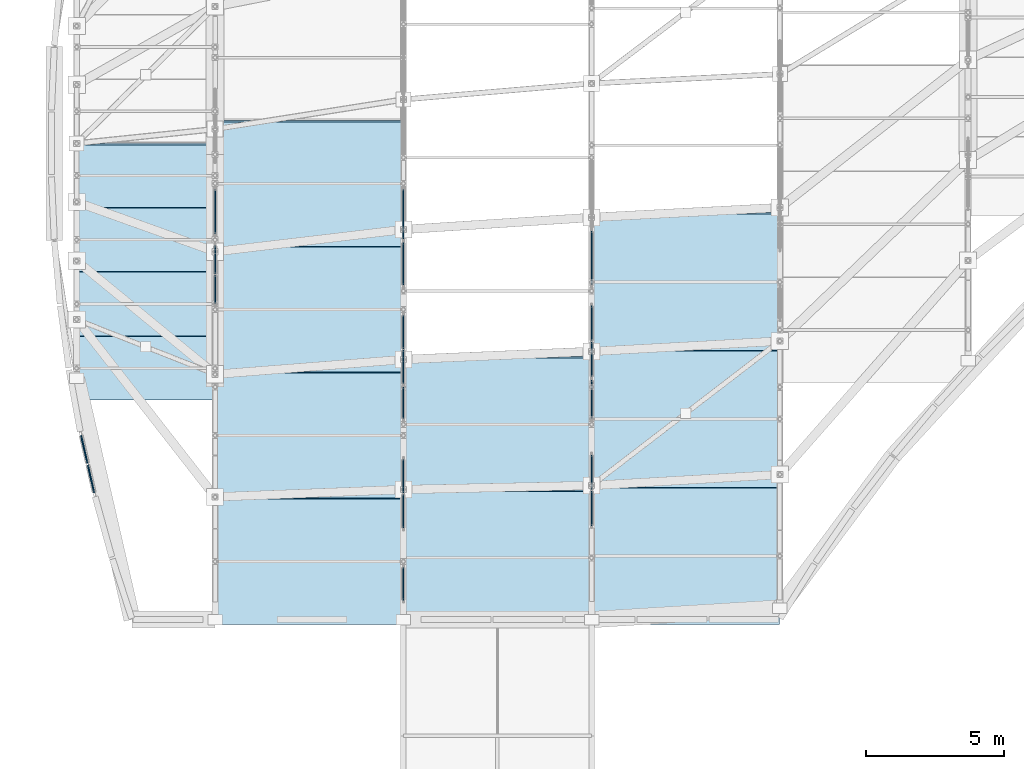
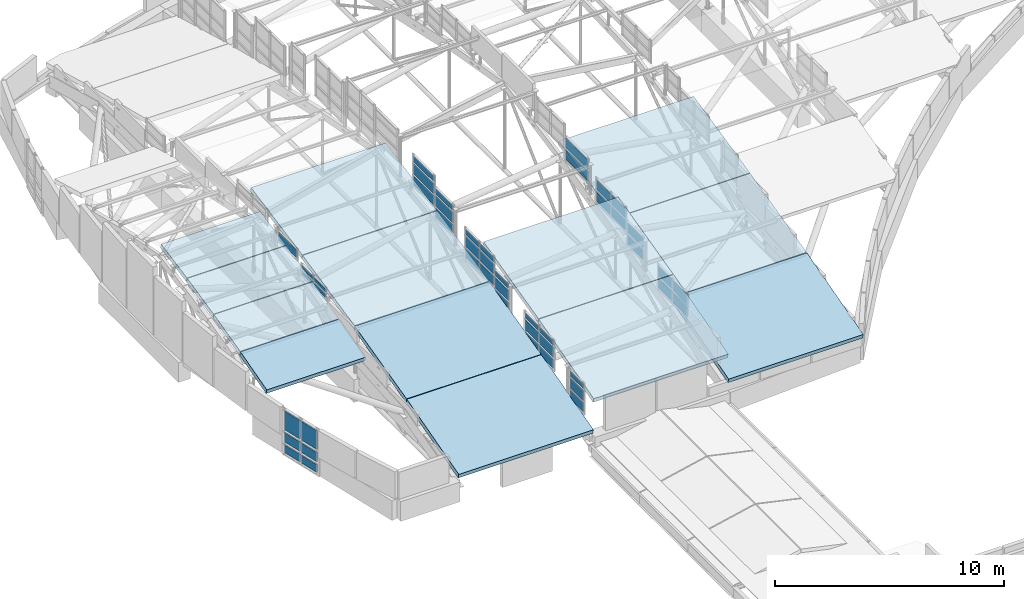
# One storey, part 160 of 188: 47 plates, 13 slabs, 13 elements without a shape of their own.
"""IFC4 building model written with IfcOpenShell, lengths in metres."""

import ifcopenshell
import ifcopenshell.guid

model = None  # the IFC model being written
_history = None  # IfcOwnerHistory: only IFC2X3 demands one
_inside = {}  # id of a spatial element -> (the spatial element, [elements in it])
_under = {}  # id of a project, library or spatial element -> (it, [spatial elements below it])
_declared = {}  # id of a project -> (the project, [libraries it declares])
_typed = {}  # id of a type object -> (the type object, [elements of that type])
_made_of = {}  # id of a material, layer set ... -> (it, [elements and type objects made of it])


def new_model(schema):
    """Start an empty IFC model of exactly this schema.

    Asked for "IFC4X3", IfcOpenShell would pick the latest addendum, in which some entities
    have other attributes; the version numbers below select the first issue.
    IFC2X3 requires an IfcOwnerHistory on every rooted entity: one is made here for all.
    """
    global model, _history
    if schema == "IFC4X3":
        model = ifcopenshell.file(schema_version=(4, 3, 0, 0))
    else:
        model = ifcopenshell.file(schema=schema)
    _inside.clear()
    _under.clear()
    _declared.clear()
    _typed.clear()
    _made_of.clear()
    _history = None
    if model.schema == "IFC2X3":
        org = make("IfcOrganization", Name="unknown")
        user = make(
            "IfcPersonAndOrganization",
            ThePerson=make("IfcPerson", FamilyName="unknown"),
            TheOrganization=org,
        )
        app = make(
            "IfcApplication",
            ApplicationDeveloper=org,
            Version="unknown",
            ApplicationFullName="unknown",
            ApplicationIdentifier="unknown",
        )
        _history = make(
            "IfcOwnerHistory",
            OwningUser=user,
            OwningApplication=app,
            ChangeAction="ADDED",
            CreationDate=0,
        )
    return model


def make(cls, **values):
    """One entity of the class cls with the attributes given. An attribute that is None is left unset."""
    return model.create_entity(
        cls, **{name: value for name, value in values.items() if value is not None}
    )


def rooted(cls, **values):
    """An entity with a GlobalId (a new one), such as an element, a storey or a relation."""
    return make(cls, GlobalId=ifcopenshell.guid.new(), OwnerHistory=_history, **values)


def si_unit(unit_type, name, prefix=None):
    """IfcSIUnit, for example si_unit("LENGTHUNIT", "METRE", prefix="MILLI")."""
    return make("IfcSIUnit", UnitType=unit_type, Prefix=prefix, Name=name)


def assignment(units):
    """IfcUnitAssignment: the units of a project."""
    return None if units is None else make("IfcUnitAssignment", Units=units)


def point(xyz):
    """IfcCartesianPoint."""
    return None if xyz is None else make("IfcCartesianPoint", Coordinates=xyz)


def direction(xyz):
    """IfcDirection."""
    return None if xyz is None else make("IfcDirection", DirectionRatios=xyz)


def frame(location, z_axis=None, x_axis=None):
    """IfcAxis2Placement3D, a coordinate frame: its origin and axes. An axis left out is left unset."""
    return make(
        "IfcAxis2Placement3D",
        Location=point(location),
        Axis=direction(z_axis),
        RefDirection=direction(x_axis),
    )


def frame_2d(location, x_axis=None):
    """IfcAxis2Placement2D, a coordinate frame in the plane: its origin and x axis."""
    return make(
        "IfcAxis2Placement2D", Location=point(location), RefDirection=direction(x_axis)
    )


def origin():
    """The frame at (0, 0, 0) with its axes left unset."""
    return frame((0.0, 0.0, 0.0))


def origin_2d():
    """The frame at (0, 0) in the plane with its x axis left unset."""
    return frame_2d((0.0, 0.0))


def place(relative_to, where):
    """IfcLocalPlacement: puts the frame where relative to a parent placement (None: the world)."""
    return make(
        "IfcLocalPlacement", PlacementRelTo=relative_to, RelativePlacement=where
    )


def context(
    kind, dimensions, precision=None, world=None, true_north=None, identifier=None
):
    """IfcGeometricRepresentationContext, for example the 3D "Model" context."""
    return make(
        "IfcGeometricRepresentationContext",
        ContextIdentifier=identifier,
        ContextType=kind,
        CoordinateSpaceDimension=dimensions,
        Precision=precision,
        WorldCoordinateSystem=world,
        TrueNorth=true_north,
    )


def subcontext(parent, identifier, kind, view, scale=None):
    """IfcGeometricRepresentationSubContext, for example "Body" below "Model"."""
    return make(
        "IfcGeometricRepresentationSubContext",
        ContextIdentifier=identifier,
        ContextType=kind,
        ParentContext=parent,
        TargetScale=scale,
        TargetView=view,
    )


def project(units=None, contexts=None):
    """IfcProject with its units and contexts."""
    return rooted(
        "IfcProject",
        Name="project",
        RepresentationContexts=contexts,
        UnitsInContext=assignment(units),
    )


def spatial(cls, under=None, at=None, **own):
    """A site, building, storey or space (cls), placed at a placement, below another one or the project."""
    s = rooted(cls, ObjectPlacement=at, **own)
    if under is not None:
        _under.setdefault(under.id(), (under, []))[1].append(s)
    return s


def polyline(points):
    """IfcPolyline through the points."""
    return make("IfcPolyline", Points=[point(p) for p in points])


def profile(cls, at=None, kind="AREA", **sizes):
    """A parametric profile (cls). Its sizes go by their IFC names, for example OverallWidth=200.0."""
    return make(cls, ProfileType=kind, Position=at, **sizes)


def rectangle(**sizes):
    """IfcRectangleProfileDef."""
    return profile("IfcRectangleProfileDef", **sizes)


def outline(outer, holes=None, kind="AREA"):
    """IfcArbitraryClosedProfileDef: a profile drawn as a closed curve; with holes, ...WithVoids."""
    if holes is None:
        return make("IfcArbitraryClosedProfileDef", ProfileType=kind, OuterCurve=outer)
    return make(
        "IfcArbitraryProfileDefWithVoids",
        ProfileType=kind,
        OuterCurve=outer,
        InnerCurves=holes,
    )


def extrude(swept, where, along, depth):
    """IfcExtrudedAreaSolid: the profile swept, set in the frame where, extruded along a direction by depth."""
    return make(
        "IfcExtrudedAreaSolid",
        SweptArea=swept,
        Position=where,
        ExtrudedDirection=direction(along),
        Depth=depth,
    )


def shape(context_of_items, identifier, shape_type, items):
    """IfcShapeRepresentation: the items that make up one representation, for example the "Body"."""
    return make(
        "IfcShapeRepresentation",
        ContextOfItems=context_of_items,
        RepresentationIdentifier=identifier,
        RepresentationType=shape_type,
        Items=items,
    )


def material(Name=None, Category=None):
    """IfcMaterial."""
    return make("IfcMaterial", Name=Name, Category=Category)


def layer(
    of_material, thickness, ventilated=None, Name=None, Category=None, Priority=None
):
    """IfcMaterialLayer: one layer of a wall or slab, of a material (None: an air gap)."""
    return make(
        "IfcMaterialLayer",
        Material=of_material,
        LayerThickness=thickness,
        IsVentilated=ventilated,
        Name=Name,
        Category=Category,
        Priority=Priority,
    )


def layer_set(layers, Name=None):
    """IfcMaterialLayerSet."""
    return make("IfcMaterialLayerSet", MaterialLayers=layers, LayerSetName=Name)


def made_of(thing, what):
    """Note that an element or type object is made of a material, layer set ...; save() writes the relation."""
    if what is not None:
        _made_of.setdefault(what.id(), (what, []))[1].append(thing)
    return thing


def type_object(cls, material=None, **own):
    """A type object (cls), such as IfcWallType, which elements share."""
    return made_of(rooted(cls, **own), material)


def element(
    cls,
    number,
    at=None,
    inside=None,
    cuts=None,
    type_object=None,
    material=None,
    context=None,
    identifier="Body",
    shape_type=None,
    held_by="IfcProductDefinitionShape",
    body=None,
    shapes=None,
    **own,
):
    """One element of the class cls, such as IfcWall. Its Tag is "e" and its number.

    at: its placement. inside: the storey or other place that contains it. cuts: it is an
    opening in that element (IfcRelVoidsElement). A single representation is given by context,
    identifier, shape_type and body (its items); several are given by shapes. held_by: the class
    of the entity that holds the representations. save() writes the other relations.
    """
    e = rooted(cls, Tag="e%d" % number, ObjectPlacement=at, **own)
    if body is not None:
        shapes = [shape(context, identifier, shape_type, body)]
    if shapes is not None:
        e.Representation = make(held_by, Representations=shapes)
    if inside is not None:
        _inside.setdefault(inside.id(), (inside, []))[1].append(e)
    if cuts is not None:
        rooted(
            "IfcRelVoidsElement", RelatingBuildingElement=cuts, RelatedOpeningElement=e
        )
    if type_object is not None:
        _typed.setdefault(type_object.id(), (type_object, []))[1].append(e)
    return made_of(e, material)


def aggregate(whole, parts):
    """IfcRelAggregates: a whole, such as a stair, and the parts it consists of."""
    return rooted("IfcRelAggregates", RelatingObject=whole, RelatedObjects=parts)


def save(model, path):
    """Write the relations noted so far, then the file.

    IfcRelAggregates (storeys below a building ...), IfcRelContainedInSpatialStructure (elements
    in a storey), IfcRelDefinesByType, IfcRelAssociatesMaterial and IfcRelDeclares: one each for
    every whole, place, type object, material and project.
    """
    for whole, parts in _under.values():
        aggregate(whole, parts)
    for where, things in _inside.values():
        rooted(
            "IfcRelContainedInSpatialStructure",
            RelatedElements=things,
            RelatingStructure=where,
        )
    for kind, things in _typed.values():
        rooted("IfcRelDefinesByType", RelatedObjects=things, RelatingType=kind)
    for what, things in _made_of.values():
        rooted("IfcRelAssociatesMaterial", RelatedObjects=things, RelatingMaterial=what)
    for by, libraries in _declared.values():
        rooted("IfcRelDeclares", RelatingContext=by, RelatedDefinitions=libraries)
    model.write(path)


model = new_model("IFC4")

# Units and contexts
model_context = context("Model", 3, precision=1e-05, world=origin(), true_north=direction((0.0, 1.0)))
body_context = subcontext(model_context, "Body", "Model", "MODEL_VIEW")
ifc_project = project(units=[si_unit("LENGTHUNIT", "METRE"), si_unit("AREAUNIT", "SQUARE_METRE"), si_unit("VOLUMEUNIT", "CUBIC_METRE"), si_unit("PLANEANGLEUNIT", "RADIAN"), si_unit("MASSUNIT", "GRAM", prefix="KILO")], contexts=[model_context])

# Site, building, storey
site_placement = place(None, origin())
site = spatial("IfcSite", under=ifc_project, at=site_placement, CompositionType="ELEMENT")
building_placement = place(site_placement, origin())
building = spatial("IfcBuilding", under=site, at=building_placement, Name="Kisaragi Civic Commons", CompositionType="ELEMENT")
storey_placement = place(building_placement, frame((0.0, 0.0, 9.60009765625)))
storey = spatial("IfcBuildingStorey", under=building, at=storey_placement, Name="L02", CompositionType="ELEMENT", Elevation=9.60009765625)

# Curtain wall, plates
ifc_material_1 = material(Name="Thermally broken anodized aluminium and low-E double glazing", Category="aluminium")
ifc_layer_1 = layer(ifc_material_1, 0.2099609375, Name="Thermally broken anodized aluminium and low-E double glazing", Category="aluminium")
ifc_layer_set_1 = layer_set([ifc_layer_1], Name="Thermally broken anodized aluminium and low-E double glazing")
curtain_wall_type_1 = type_object("IfcCurtainWallType", Name="CW-02", PredefinedType="NOTDEFINED", material=ifc_layer_set_1)
curtain_wall_1_placement = place(storey_placement, origin())
curtain_wall_1 = element("IfcCurtainWall", 1, at=curtain_wall_1_placement, inside=storey, type_object=curtain_wall_type_1, Name="L02 curtain wall CW-02 CW-GAB-V2-221", PredefinedType="NOTDEFINED")
ifc_layer_2 = layer(ifc_material_1, 0.052001953125, Name="Thermally broken anodized aluminium and low-E double glazing", Category="aluminium")
ifc_layer_set_2 = layer_set([ifc_layer_2], Name="Thermally broken anodized aluminium and low-E double glazing")
plate_type_1 = type_object("IfcPlateType", Name="CWP-02", PredefinedType="CURTAIN_PANEL", material=ifc_layer_set_2)
plate_1_placement = place(storey_placement, frame((2.3154296875, 84.28125, -1.2392578125), z_axis=(0.0, 0.0, 1.0), x_axis=(-0.222888557527, 0.974843931572, 0.0)))
plate_1 = element("IfcPlate", 2, at=plate_1_placement, type_object=plate_type_1, Name="CW-02 panel 1.1", PredefinedType="CURTAIN_PANEL", context=body_context, shape_type="SweptSolid", body=[
    extrude(rectangle(XDim=1.023681640625, YDim=0.052001953125, at=origin_2d()), origin(), (0.0, 0.0, 1.0), 0.409912109375),
])
plate_2_placement = place(storey_placement, frame((2.3154296875, 84.28125, -0.6689453125), z_axis=(0.0, 0.0, 1.0), x_axis=(-0.222888557527, 0.974843931572, 0.0)))
plate_2 = element("IfcPlate", 3, at=plate_2_placement, type_object=plate_type_1, Name="CW-02 panel 1.2", PredefinedType="CURTAIN_PANEL", context=body_context, shape_type="SweptSolid", body=[
    extrude(rectangle(XDim=1.023681640625, YDim=0.052001953125, at=origin_2d()), origin(), (0.0, 0.0, 1.0), 0.489990234375),
])
plate_3_placement = place(storey_placement, frame((2.3154296875, 84.28125, -0.01904296875), z_axis=(0.0, 0.0, 1.0), x_axis=(-0.222888557527, 0.974843931572, 0.0)))
plate_3 = element("IfcPlate", 4, at=plate_3_placement, type_object=plate_type_1, Name="CW-02 panel 1.3", PredefinedType="CURTAIN_PANEL", context=body_context, shape_type="SweptSolid", body=[
    extrude(rectangle(XDim=1.023681640625, YDim=0.052001953125, at=origin_2d()), origin(), (0.0, 0.0, 1.0), 0.994384765625),
])
plate_4_placement = place(storey_placement, frame((2.07177734375, 85.347412109375, -1.2392578125), z_axis=(0.0, 0.0, 1.0), x_axis=(-0.222888557527, 0.974843931572, 0.0)))
plate_4 = element("IfcPlate", 5, at=plate_4_placement, type_object=plate_type_1, Name="CW-02 panel 2.1", PredefinedType="CURTAIN_PANEL", context=body_context, shape_type="SweptSolid", body=[
    extrude(rectangle(XDim=1.023681640625, YDim=0.052001953125, at=origin_2d()), origin(), (0.0, 0.0, 1.0), 0.409912109375),
])
plate_5_placement = place(storey_placement, frame((2.07177734375, 85.347412109375, -0.6689453125), z_axis=(0.0, 0.0, 1.0), x_axis=(-0.222888557527, 0.974843931572, 0.0)))
plate_5 = element("IfcPlate", 6, at=plate_5_placement, type_object=plate_type_1, Name="CW-02 panel 2.2", PredefinedType="CURTAIN_PANEL", context=body_context, shape_type="SweptSolid", body=[
    extrude(rectangle(XDim=1.023681640625, YDim=0.052001953125, at=origin_2d()), origin(), (0.0, 0.0, 1.0), 0.489990234375),
])
plate_6_placement = place(storey_placement, frame((2.07177734375, 85.347412109375, -0.01904296875), z_axis=(0.0, 0.0, 1.0), x_axis=(-0.222888557527, 0.974843931572, 0.0)))
plate_6 = element("IfcPlate", 7, at=plate_6_placement, type_object=plate_type_1, Name="CW-02 panel 2.3", PredefinedType="CURTAIN_PANEL", context=body_context, shape_type="SweptSolid", body=[
    extrude(rectangle(XDim=1.023681640625, YDim=0.052001953125, at=origin_2d()), origin(), (0.0, 0.0, 1.0), 0.994384765625),
])
aggregate(curtain_wall_1, [plate_1, plate_2, plate_3, plate_4, plate_5, plate_6])

# Curtain wall, plate
ifc_layer_3 = layer(ifc_material_1, 0.14990234375, Name="Thermally broken anodized aluminium and low-E double glazing", Category="aluminium")
ifc_layer_set_3 = layer_set([ifc_layer_3], Name="Thermally broken anodized aluminium and low-E double glazing")
curtain_wall_type_2 = type_object("IfcCurtainWallType", Name="CW-03", PredefinedType="NOTDEFINED", material=ifc_layer_set_3)
curtain_wall_2_placement = place(storey_placement, origin())
curtain_wall_2 = element("IfcCurtainWall", 8, at=curtain_wall_2_placement, inside=storey, type_object=curtain_wall_type_2, Name="L02 curtain wall CW-03 CW-CL-V2-176", PredefinedType="NOTDEFINED")
ifc_layer_4 = layer(ifc_material_1, 0.0380859375, Name="Thermally broken anodized aluminium and low-E double glazing", Category="aluminium")
ifc_layer_set_4 = layer_set([ifc_layer_4], Name="Thermally broken anodized aluminium and low-E double glazing")
plate_type_2 = type_object("IfcPlateType", Name="CWP-03", PredefinedType="CURTAIN_PANEL", material=ifc_layer_set_4)
plate_7_placement = place(storey_placement, frame((6.800048828125, 93.931396484375, 2.984375), z_axis=(0.0, 0.0, 1.0), x_axis=(0.0, 1.0, 0.0)))
plate_7 = element("IfcPlate", 9, at=plate_7_placement, type_object=plate_type_2, Name="CW-03 panel 1.1", PredefinedType="CURTAIN_PANEL", context=body_context, shape_type="SweptSolid", body=[
    extrude(rectangle(XDim=1.5966796875, YDim=0.0380859375, at=origin_2d()), origin(), (0.0, 0.0, 1.0), 0.421630859375),
])
aggregate(curtain_wall_2, [plate_7])

# Curtain wall, plates
curtain_wall_3_placement = place(storey_placement, origin())
curtain_wall_3 = element("IfcCurtainWall", 10, at=curtain_wall_3_placement, inside=storey, type_object=curtain_wall_type_2, Name="L02 curtain wall CW-03 CW-CL-V2-180", PredefinedType="NOTDEFINED")
plate_8_placement = place(storey_placement, frame((13.60009765625, 83.113037109375, 1.15283203125), z_axis=(0.0, 0.0, 1.0), x_axis=(0.0, 1.0, 0.0)))
plate_8 = element("IfcPlate", 11, at=plate_8_placement, type_object=plate_type_2, Name="CW-03 panel 1.1", PredefinedType="CURTAIN_PANEL", context=body_context, shape_type="SweptSolid", body=[
    extrude(rectangle(XDim=1.20263671875, YDim=0.0380859375, at=origin_2d()), origin(), (0.0, 0.0, 1.0), 0.469970703125),
])
plate_9_placement = place(storey_placement, frame((13.60009765625, 83.113037109375, 1.7431640625), z_axis=(0.0, 0.0, 1.0), x_axis=(0.0, 1.0, 0.0)))
plate_9 = element("IfcPlate", 12, at=plate_9_placement, type_object=plate_type_2, Name="CW-03 panel 1.2", PredefinedType="CURTAIN_PANEL", context=body_context, shape_type="SweptSolid", body=[
    extrude(rectangle(XDim=1.20263671875, YDim=0.0380859375, at=origin_2d()), origin(), (0.0, 0.0, 1.0), 0.530029296875),
])
plate_10_placement = place(storey_placement, frame((13.60009765625, 83.113037109375, 2.39306640625), z_axis=(0.0, 0.0, 1.0), x_axis=(0.0, 1.0, 0.0)))
plate_10 = element("IfcPlate", 13, at=plate_10_placement, type_object=plate_type_2, Name="CW-03 panel 1.3", PredefinedType="CURTAIN_PANEL", context=body_context, shape_type="SweptSolid", body=[
    extrude(rectangle(XDim=1.20263671875, YDim=0.0380859375, at=origin_2d()), origin(), (0.0, 0.0, 1.0), 0.235107421875),
])
plate_11_placement = place(storey_placement, frame((13.60009765625, 84.375732421875, 1.15283203125), z_axis=(0.0, 0.0, 1.0), x_axis=(0.0, 1.0, 0.0)))
plate_11 = element("IfcPlate", 14, at=plate_11_placement, type_object=plate_type_2, Name="CW-03 panel 2.1", PredefinedType="CURTAIN_PANEL", context=body_context, shape_type="SweptSolid", body=[
    extrude(rectangle(XDim=1.20263671875, YDim=0.0380859375, at=origin_2d()), origin(), (0.0, 0.0, 1.0), 0.469970703125),
])
plate_12_placement = place(storey_placement, frame((13.60009765625, 84.375732421875, 1.7431640625), z_axis=(0.0, 0.0, 1.0), x_axis=(0.0, 1.0, 0.0)))
plate_12 = element("IfcPlate", 15, at=plate_12_placement, type_object=plate_type_2, Name="CW-03 panel 2.2", PredefinedType="CURTAIN_PANEL", context=body_context, shape_type="SweptSolid", body=[
    extrude(rectangle(XDim=1.20263671875, YDim=0.0380859375, at=origin_2d()), origin(), (0.0, 0.0, 1.0), 0.530029296875),
])
plate_13_placement = place(storey_placement, frame((13.60009765625, 84.375732421875, 2.39306640625), z_axis=(0.0, 0.0, 1.0), x_axis=(0.0, 1.0, 0.0)))
plate_13 = element("IfcPlate", 16, at=plate_13_placement, type_object=plate_type_2, Name="CW-03 panel 2.3", PredefinedType="CURTAIN_PANEL", context=body_context, shape_type="SweptSolid", body=[
    extrude(rectangle(XDim=1.20263671875, YDim=0.0380859375, at=origin_2d()), origin(), (0.0, 0.0, 1.0), 0.235107421875),
])
aggregate(curtain_wall_3, [plate_8, plate_9, plate_10, plate_11, plate_12, plate_13])

curtain_wall_4_placement = place(storey_placement, origin())
curtain_wall_4 = element("IfcCurtainWall", 17, at=curtain_wall_4_placement, inside=storey, type_object=curtain_wall_type_2, Name="L02 curtain wall CW-03 CW-CL-V2-182", PredefinedType="NOTDEFINED")
plate_14_placement = place(storey_placement, frame((13.60009765625, 88.32763671875, 2.43115234375), z_axis=(0.0, 0.0, 1.0), x_axis=(0.0, 1.0, 0.0)))
plate_14 = element("IfcPlate", 18, at=plate_14_placement, type_object=plate_type_2, Name="CW-03 panel 1.1", PredefinedType="CURTAIN_PANEL", context=body_context, shape_type="SweptSolid", body=[
    extrude(rectangle(XDim=1.19384765625, YDim=0.0380859375, at=origin_2d()), origin(), (0.0, 0.0, 1.0), 0.469970703125),
])
plate_15_placement = place(storey_placement, frame((13.60009765625, 88.32763671875, 3.02099609375), z_axis=(0.0, 0.0, 1.0), x_axis=(0.0, 1.0, 0.0)))
plate_15 = element("IfcPlate", 19, at=plate_15_placement, type_object=plate_type_2, Name="CW-03 panel 1.2", PredefinedType="CURTAIN_PANEL", context=body_context, shape_type="SweptSolid", body=[
    extrude(rectangle(XDim=1.19384765625, YDim=0.0380859375, at=origin_2d()), origin(), (0.0, 0.0, 1.0), 0.530029296875),
])
plate_16_placement = place(storey_placement, frame((13.60009765625, 88.32763671875, 3.6708984375), z_axis=(0.0, 0.0, 1.0), x_axis=(0.0, 1.0, 0.0)))
plate_16 = element("IfcPlate", 20, at=plate_16_placement, type_object=plate_type_2, Name="CW-03 panel 1.3", PredefinedType="CURTAIN_PANEL", context=body_context, shape_type="SweptSolid", body=[
    extrude(rectangle(XDim=1.19384765625, YDim=0.0380859375, at=origin_2d()), origin(), (0.0, 0.0, 1.0), 0.252685546875),
])
plate_17_placement = place(storey_placement, frame((13.60009765625, 89.58154296875, 2.43115234375), z_axis=(0.0, 0.0, 1.0), x_axis=(0.0, 1.0, 0.0)))
plate_17 = element("IfcPlate", 21, at=plate_17_placement, type_object=plate_type_2, Name="CW-03 panel 2.1", PredefinedType="CURTAIN_PANEL", context=body_context, shape_type="SweptSolid", body=[
    extrude(rectangle(XDim=1.19384765625, YDim=0.0380859375, at=origin_2d()), origin(), (0.0, 0.0, 1.0), 0.469970703125),
])
plate_18_placement = place(storey_placement, frame((13.60009765625, 89.58154296875, 3.02099609375), z_axis=(0.0, 0.0, 1.0), x_axis=(0.0, 1.0, 0.0)))
plate_18 = element("IfcPlate", 22, at=plate_18_placement, type_object=plate_type_2, Name="CW-03 panel 2.2", PredefinedType="CURTAIN_PANEL", context=body_context, shape_type="SweptSolid", body=[
    extrude(rectangle(XDim=1.19384765625, YDim=0.0380859375, at=origin_2d()), origin(), (0.0, 0.0, 1.0), 0.530029296875),
])
plate_19_placement = place(storey_placement, frame((13.60009765625, 89.58154296875, 3.6708984375), z_axis=(0.0, 0.0, 1.0), x_axis=(0.0, 1.0, 0.0)))
plate_19 = element("IfcPlate", 23, at=plate_19_placement, type_object=plate_type_2, Name="CW-03 panel 2.3", PredefinedType="CURTAIN_PANEL", context=body_context, shape_type="SweptSolid", body=[
    extrude(rectangle(XDim=1.19384765625, YDim=0.0380859375, at=origin_2d()), origin(), (0.0, 0.0, 1.0), 0.252685546875),
])
aggregate(curtain_wall_4, [plate_14, plate_15, plate_16, plate_17, plate_18, plate_19])

curtain_wall_5_placement = place(storey_placement, origin())
curtain_wall_5 = element("IfcCurtainWall", 24, at=curtain_wall_5_placement, inside=storey, type_object=curtain_wall_type_2, Name="L02 curtain wall CW-03 CW-CL-V2-184", PredefinedType="NOTDEFINED")
plate_20_placement = place(storey_placement, frame((13.60009765625, 93.83984375, 3.546875), z_axis=(0.0, 0.0, 1.0), x_axis=(0.0, 1.0, 0.0)))
plate_20 = element("IfcPlate", 25, at=plate_20_placement, type_object=plate_type_2, Name="CW-03 panel 1.1", PredefinedType="CURTAIN_PANEL", context=body_context, shape_type="SweptSolid", body=[
    extrude(rectangle(XDim=1.77978515625, YDim=0.0380859375, at=origin_2d()), origin(), (0.0, 0.0, 1.0), 0.469970703125),
])
plate_21_placement = place(storey_placement, frame((13.60009765625, 93.83984375, 4.13720703125), z_axis=(0.0, 0.0, 1.0), x_axis=(0.0, 1.0, 0.0)))
plate_21 = element("IfcPlate", 26, at=plate_21_placement, type_object=plate_type_2, Name="CW-03 panel 1.2", PredefinedType="CURTAIN_PANEL", context=body_context, shape_type="SweptSolid", body=[
    extrude(rectangle(XDim=1.77978515625, YDim=0.0380859375, at=origin_2d()), origin(), (0.0, 0.0, 1.0), 0.530029296875),
])
plate_22_placement = place(storey_placement, frame((13.60009765625, 93.83984375, 4.787109375), z_axis=(0.0, 0.0, 1.0), x_axis=(0.0, 1.0, 0.0)))
plate_22 = element("IfcPlate", 27, at=plate_22_placement, type_object=plate_type_2, Name="CW-03 panel 1.3", PredefinedType="CURTAIN_PANEL", context=body_context, shape_type="SweptSolid", body=[
    extrude(rectangle(XDim=1.77978515625, YDim=0.0380859375, at=origin_2d()), origin(), (0.0, 0.0, 1.0), 0.2744140625),
])
aggregate(curtain_wall_5, [plate_20, plate_21, plate_22])

curtain_wall_6_placement = place(storey_placement, origin())
curtain_wall_6 = element("IfcCurtainWall", 28, at=curtain_wall_6_placement, inside=storey, type_object=curtain_wall_type_2, Name="L02 curtain wall CW-03 CW-CL-V2-194", PredefinedType="NOTDEFINED")
plate_23_placement = place(storey_placement, frame((20.39990234375, 87.15185546875, 2.180908203125), z_axis=(0.0, 0.0, 1.0), x_axis=(0.0, 1.0, 0.0)))
plate_23 = element("IfcPlate", 29, at=plate_23_placement, type_object=plate_type_2, Name="CW-03 panel 1.1", PredefinedType="CURTAIN_PANEL", context=body_context, shape_type="SweptSolid", body=[
    extrude(rectangle(XDim=1.3671875, YDim=0.0380859375, at=origin_2d()), origin(), (0.0, 0.0, 1.0), 0.51611328125),
])
plate_24_placement = place(storey_placement, frame((20.39990234375, 87.15185546875, 2.81689453125), z_axis=(0.0, 0.0, 1.0), x_axis=(0.0, 1.0, 0.0)))
plate_24 = element("IfcPlate", 30, at=plate_24_placement, type_object=plate_type_2, Name="CW-03 panel 1.2", PredefinedType="CURTAIN_PANEL", context=body_context, shape_type="SweptSolid", body=[
    extrude(rectangle(XDim=1.3671875, YDim=0.0380859375, at=origin_2d()), origin(), (0.0, 0.0, 1.0), 0.51611328125),
])
aggregate(curtain_wall_6, [plate_23, plate_24])

curtain_wall_7_placement = place(storey_placement, origin())
curtain_wall_7 = element("IfcCurtainWall", 31, at=curtain_wall_7_placement, inside=storey, type_object=curtain_wall_type_2, Name="L02 curtain wall CW-03 CW-CL-V2-196", PredefinedType="NOTDEFINED")
plate_25_placement = place(storey_placement, frame((20.39990234375, 92.253662109375, 3.439453125), z_axis=(0.0, 0.0, 1.0), x_axis=(0.0, 1.0, 0.0)))
plate_25 = element("IfcPlate", 32, at=plate_25_placement, type_object=plate_type_2, Name="CW-03 panel 1.1", PredefinedType="CURTAIN_PANEL", context=body_context, shape_type="SweptSolid", body=[
    extrude(rectangle(XDim=1.933349609375, YDim=0.0380859375, at=origin_2d()), origin(), (0.0, 0.0, 1.0), 0.5126953125),
])
plate_26_placement = place(storey_placement, frame((20.39990234375, 92.253662109375, 4.072265625), z_axis=(0.0, 0.0, 1.0), x_axis=(0.0, 1.0, 0.0)))
plate_26 = element("IfcPlate", 33, at=plate_26_placement, type_object=plate_type_2, Name="CW-03 panel 1.2", PredefinedType="CURTAIN_PANEL", context=body_context, shape_type="SweptSolid", body=[
    extrude(rectangle(XDim=1.933349609375, YDim=0.0380859375, at=origin_2d()), origin(), (0.0, 0.0, 1.0), 0.5126953125),
])
aggregate(curtain_wall_7, [plate_25, plate_26])

curtain_wall_8_placement = place(storey_placement, origin())
curtain_wall_8 = element("IfcCurtainWall", 34, at=curtain_wall_8_placement, inside=storey, type_object=curtain_wall_type_2, Name="L02 curtain wall CW-03 CW-CL-V2-175", PredefinedType="NOTDEFINED")
ifc_layer_5 = layer(ifc_material_1, 0.041015625, Name="Thermally broken anodized aluminium and low-E double glazing", Category="aluminium")
ifc_layer_set_5 = layer_set([ifc_layer_5], Name="Thermally broken anodized aluminium and low-E double glazing")
plate_type_3 = type_object("IfcPlateType", Name="CWP-11", PredefinedType="CURTAIN_PANEL", material=ifc_layer_set_5)
plate_27_placement = place(storey_placement, frame((6.800048828125, 91.12353515625, 2.405517578125), z_axis=(0.0, 0.0, 1.0), x_axis=(0.0, 1.0, 0.0)))
plate_27 = element("IfcPlate", 35, at=plate_27_placement, type_object=plate_type_3, Name="CW-03 panel 1.1", PredefinedType="CURTAIN_PANEL", context=body_context, shape_type="SweptSolid", body=[
    extrude(rectangle(XDim=1.010009765625, YDim=0.041015625, at=origin_2d()), origin(), (0.0, 0.0, 1.0), 0.17041015625),
])
plate_28_placement = place(storey_placement, frame((6.800048828125, 91.12353515625, 2.69580078125), z_axis=(0.0, 0.0, 1.0), x_axis=(0.0, 1.0, 0.0)))
plate_28 = element("IfcPlate", 36, at=plate_28_placement, type_object=plate_type_3, Name="CW-03 panel 1.2", PredefinedType="CURTAIN_PANEL", context=body_context, shape_type="SweptSolid", body=[
    extrude(rectangle(XDim=1.010009765625, YDim=0.041015625, at=origin_2d()), origin(), (0.0, 0.0, 1.0), 0.17041015625),
])
plate_29_placement = place(storey_placement, frame((6.800048828125, 92.193603515625, 2.405517578125), z_axis=(0.0, 0.0, 1.0), x_axis=(0.0, 1.0, 0.0)))
plate_29 = element("IfcPlate", 37, at=plate_29_placement, type_object=plate_type_3, Name="CW-03 panel 2.1", PredefinedType="CURTAIN_PANEL", context=body_context, shape_type="SweptSolid", body=[
    extrude(rectangle(XDim=1.010009765625, YDim=0.041015625, at=origin_2d()), origin(), (0.0, 0.0, 1.0), 0.17041015625),
])
plate_30_placement = place(storey_placement, frame((6.800048828125, 92.193603515625, 2.69580078125), z_axis=(0.0, 0.0, 1.0), x_axis=(0.0, 1.0, 0.0)))
plate_30 = element("IfcPlate", 38, at=plate_30_placement, type_object=plate_type_3, Name="CW-03 panel 2.2", PredefinedType="CURTAIN_PANEL", context=body_context, shape_type="SweptSolid", body=[
    extrude(rectangle(XDim=1.010009765625, YDim=0.041015625, at=origin_2d()), origin(), (0.0, 0.0, 1.0), 0.17041015625),
])
aggregate(curtain_wall_8, [plate_27, plate_28, plate_29, plate_30])

curtain_wall_9_placement = place(storey_placement, origin())
curtain_wall_9 = element("IfcCurtainWall", 39, at=curtain_wall_9_placement, inside=storey, type_object=curtain_wall_type_2, Name="L02 curtain wall CW-03 CW-CL-V2-179", PredefinedType="NOTDEFINED")
plate_31_placement = place(storey_placement, frame((13.60009765625, 80.48876953125, 0.43408203125), z_axis=(0.0, 0.0, 1.0), x_axis=(0.0, 1.0, 0.0)))
plate_31 = element("IfcPlate", 40, at=plate_31_placement, type_object=plate_type_3, Name="CW-03 panel 1.1", PredefinedType="CURTAIN_PANEL", context=body_context, shape_type="SweptSolid", body=[
    extrude(rectangle(XDim=1.173583984375, YDim=0.041015625, at=origin_2d()), origin(), (0.0, 0.0, 1.0), 0.469970703125),
])
plate_32_placement = place(storey_placement, frame((13.60009765625, 80.48876953125, 1.0244140625), z_axis=(0.0, 0.0, 1.0), x_axis=(0.0, 1.0, 0.0)))
plate_32 = element("IfcPlate", 41, at=plate_32_placement, type_object=plate_type_3, Name="CW-03 panel 1.2", PredefinedType="CURTAIN_PANEL", context=body_context, shape_type="SweptSolid", body=[
    extrude(rectangle(XDim=1.173583984375, YDim=0.041015625, at=origin_2d()), origin(), (0.0, 0.0, 1.0), 0.530029296875),
])
plate_33_placement = place(storey_placement, frame((13.60009765625, 80.48876953125, 1.67431640625), z_axis=(0.0, 0.0, 1.0), x_axis=(0.0, 1.0, 0.0)))
plate_33 = element("IfcPlate", 42, at=plate_33_placement, type_object=plate_type_3, Name="CW-03 panel 1.3", PredefinedType="CURTAIN_PANEL", context=body_context, shape_type="SweptSolid", body=[
    extrude(rectangle(XDim=1.173583984375, YDim=0.041015625, at=origin_2d()), origin(), (0.0, 0.0, 1.0), 0.230224609375),
])
aggregate(curtain_wall_9, [plate_31, plate_32, plate_33])

curtain_wall_10_placement = place(storey_placement, origin())
curtain_wall_10 = element("IfcCurtainWall", 43, at=curtain_wall_10_placement, inside=storey, type_object=curtain_wall_type_2, Name="L02 curtain wall CW-03 CW-CL-V2-181", PredefinedType="NOTDEFINED")
plate_34_placement = place(storey_placement, frame((13.60009765625, 87.02734375, 1.8037109375), z_axis=(0.0, 0.0, 1.0), x_axis=(0.0, 1.0, 0.0)))
plate_34 = element("IfcPlate", 44, at=plate_34_placement, type_object=plate_type_3, Name="CW-03 panel 1.1", PredefinedType="CURTAIN_PANEL", context=body_context, shape_type="SweptSolid", body=[
    extrude(rectangle(XDim=1.118408203125, YDim=0.041015625, at=origin_2d()), origin(), (0.0, 0.0, 1.0), 0.469970703125),
])
plate_35_placement = place(storey_placement, frame((13.60009765625, 87.02734375, 2.3935546875), z_axis=(0.0, 0.0, 1.0), x_axis=(0.0, 1.0, 0.0)))
plate_35 = element("IfcPlate", 45, at=plate_35_placement, type_object=plate_type_3, Name="CW-03 panel 1.2", PredefinedType="CURTAIN_PANEL", context=body_context, shape_type="SweptSolid", body=[
    extrude(rectangle(XDim=1.118408203125, YDim=0.041015625, at=origin_2d()), origin(), (0.0, 0.0, 1.0), 0.530029296875),
])
plate_36_placement = place(storey_placement, frame((13.60009765625, 87.02734375, 3.043701171875), z_axis=(0.0, 0.0, 1.0), x_axis=(0.0, 1.0, 0.0)))
plate_36 = element("IfcPlate", 46, at=plate_36_placement, type_object=plate_type_3, Name="CW-03 panel 1.3", PredefinedType="CURTAIN_PANEL", context=body_context, shape_type="SweptSolid", body=[
    extrude(rectangle(XDim=1.118408203125, YDim=0.041015625, at=origin_2d()), origin(), (0.0, 0.0, 1.0), 0.23779296875),
])
aggregate(curtain_wall_10, [plate_34, plate_35, plate_36])

curtain_wall_11_placement = place(storey_placement, origin())
curtain_wall_11 = element("IfcCurtainWall", 47, at=curtain_wall_11_placement, inside=storey, type_object=curtain_wall_type_2, Name="L02 curtain wall CW-03 CW-CL-V2-183", PredefinedType="NOTDEFINED")
plate_37_placement = place(storey_placement, frame((13.60009765625, 92.04638671875, 3.009765625), z_axis=(0.0, 0.0, 1.0), x_axis=(0.0, 1.0, 0.0)))
plate_37 = element("IfcPlate", 48, at=plate_37_placement, type_object=plate_type_3, Name="CW-03 panel 1.1", PredefinedType="CURTAIN_PANEL", context=body_context, shape_type="SweptSolid", body=[
    extrude(rectangle(XDim=1.518798828125, YDim=0.041015625, at=origin_2d()), origin(), (0.0, 0.0, 1.0), 0.469970703125),
])
plate_38_placement = place(storey_placement, frame((13.60009765625, 92.04638671875, 3.599609375), z_axis=(0.0, 0.0, 1.0), x_axis=(0.0, 1.0, 0.0)))
plate_38 = element("IfcPlate", 49, at=plate_38_placement, type_object=plate_type_3, Name="CW-03 panel 1.2", PredefinedType="CURTAIN_PANEL", context=body_context, shape_type="SweptSolid", body=[
    extrude(rectangle(XDim=1.518798828125, YDim=0.041015625, at=origin_2d()), origin(), (0.0, 0.0, 1.0), 0.530029296875),
])
plate_39_placement = place(storey_placement, frame((13.60009765625, 92.04638671875, 4.24951171875), z_axis=(0.0, 0.0, 1.0), x_axis=(0.0, 1.0, 0.0)))
plate_39 = element("IfcPlate", 50, at=plate_39_placement, type_object=plate_type_3, Name="CW-03 panel 1.3", PredefinedType="CURTAIN_PANEL", context=body_context, shape_type="SweptSolid", body=[
    extrude(rectangle(XDim=1.518798828125, YDim=0.041015625, at=origin_2d()), origin(), (0.0, 0.0, 1.0), 0.252685546875),
])
aggregate(curtain_wall_11, [plate_37, plate_38, plate_39])

curtain_wall_12_placement = place(storey_placement, origin())
curtain_wall_12 = element("IfcCurtainWall", 51, at=curtain_wall_12_placement, inside=storey, type_object=curtain_wall_type_2, Name="L02 curtain wall CW-03 CW-CL-V2-193", PredefinedType="NOTDEFINED")
plate_40_placement = place(storey_placement, frame((20.39990234375, 83.216552734375, 1.506591796875), z_axis=(0.0, 0.0, 1.0), x_axis=(0.0, 1.0, 0.0)))
plate_40 = element("IfcPlate", 52, at=plate_40_placement, type_object=plate_type_3, Name="CW-03 panel 1.1", PredefinedType="CURTAIN_PANEL", context=body_context, shape_type="SweptSolid", body=[
    extrude(rectangle(XDim=1.244140625, YDim=0.041015625, at=origin_2d()), origin(), (0.0, 0.0, 1.0), 0.517578125),
])
plate_41_placement = place(storey_placement, frame((20.39990234375, 83.216552734375, 2.144287109375), z_axis=(0.0, 0.0, 1.0), x_axis=(0.0, 1.0, 0.0)))
plate_41 = element("IfcPlate", 53, at=plate_41_placement, type_object=plate_type_3, Name="CW-03 panel 1.2", PredefinedType="CURTAIN_PANEL", context=body_context, shape_type="SweptSolid", body=[
    extrude(rectangle(XDim=1.244140625, YDim=0.041015625, at=origin_2d()), origin(), (0.0, 0.0, 1.0), 0.517578125),
])
plate_42_placement = place(storey_placement, frame((20.39990234375, 84.52099609375, 1.506591796875), z_axis=(0.0, 0.0, 1.0), x_axis=(0.0, 1.0, 0.0)))
plate_42 = element("IfcPlate", 54, at=plate_42_placement, type_object=plate_type_3, Name="CW-03 panel 2.1", PredefinedType="CURTAIN_PANEL", context=body_context, shape_type="SweptSolid", body=[
    extrude(rectangle(XDim=1.244140625, YDim=0.041015625, at=origin_2d()), origin(), (0.0, 0.0, 1.0), 0.517578125),
])
plate_43_placement = place(storey_placement, frame((20.39990234375, 84.52099609375, 2.144287109375), z_axis=(0.0, 0.0, 1.0), x_axis=(0.0, 1.0, 0.0)))
plate_43 = element("IfcPlate", 55, at=plate_43_placement, type_object=plate_type_3, Name="CW-03 panel 2.2", PredefinedType="CURTAIN_PANEL", context=body_context, shape_type="SweptSolid", body=[
    extrude(rectangle(XDim=1.244140625, YDim=0.041015625, at=origin_2d()), origin(), (0.0, 0.0, 1.0), 0.517578125),
])
aggregate(curtain_wall_12, [plate_40, plate_41, plate_42, plate_43])

curtain_wall_13_placement = place(storey_placement, origin())
curtain_wall_13 = element("IfcCurtainWall", 56, at=curtain_wall_13_placement, inside=storey, type_object=curtain_wall_type_2, Name="L02 curtain wall CW-03 CW-CL-V2-195", PredefinedType="NOTDEFINED")
plate_44_placement = place(storey_placement, frame((20.39990234375, 88.6015625, 2.8427734375), z_axis=(0.0, 0.0, 1.0), x_axis=(0.0, 1.0, 0.0)))
plate_44 = element("IfcPlate", 57, at=plate_44_placement, type_object=plate_type_3, Name="CW-03 panel 1.1", PredefinedType="CURTAIN_PANEL", context=body_context, shape_type="SweptSolid", body=[
    extrude(rectangle(XDim=1.244140625, YDim=0.041015625, at=origin_2d()), origin(), (0.0, 0.0, 1.0), 0.5126953125),
])
plate_45_placement = place(storey_placement, frame((20.39990234375, 88.6015625, 3.475341796875), z_axis=(0.0, 0.0, 1.0), x_axis=(0.0, 1.0, 0.0)))
plate_45 = element("IfcPlate", 58, at=plate_45_placement, type_object=plate_type_3, Name="CW-03 panel 1.2", PredefinedType="CURTAIN_PANEL", context=body_context, shape_type="SweptSolid", body=[
    extrude(rectangle(XDim=1.244140625, YDim=0.041015625, at=origin_2d()), origin(), (0.0, 0.0, 1.0), 0.5126953125),
])
plate_46_placement = place(storey_placement, frame((20.39990234375, 89.90576171875, 2.8427734375), z_axis=(0.0, 0.0, 1.0), x_axis=(0.0, 1.0, 0.0)))
plate_46 = element("IfcPlate", 59, at=plate_46_placement, type_object=plate_type_3, Name="CW-03 panel 2.1", PredefinedType="CURTAIN_PANEL", context=body_context, shape_type="SweptSolid", body=[
    extrude(rectangle(XDim=1.244140625, YDim=0.041015625, at=origin_2d()), origin(), (0.0, 0.0, 1.0), 0.5126953125),
])
plate_47_placement = place(storey_placement, frame((20.39990234375, 89.90576171875, 3.475341796875), z_axis=(0.0, 0.0, 1.0), x_axis=(0.0, 1.0, 0.0)))
plate_47 = element("IfcPlate", 60, at=plate_47_placement, type_object=plate_type_3, Name="CW-03 panel 2.2", PredefinedType="CURTAIN_PANEL", context=body_context, shape_type="SweptSolid", body=[
    extrude(rectangle(XDim=1.244140625, YDim=0.041015625, at=origin_2d()), origin(), (0.0, 0.0, 1.0), 0.5126953125),
])
aggregate(curtain_wall_13, [plate_44, plate_45, plate_46, plate_47])

# Slabs
ifc_material_2 = material(Name="Concrete Fc30", Category="concrete")
ifc_layer_6 = layer(ifc_material_2, 0.238037109375, Name="Concrete Fc30", Category="concrete")
ifc_layer_set_6 = layer_set([ifc_layer_6], Name="Concrete Fc30")
slab_type = type_object("IfcSlabType", Name="SL-WV2", PredefinedType="ROOF", material=ifc_layer_set_6)
slab_1_placement = place(storey_placement, frame((1.804931640625, 87.124267578125, 1.3486328125), z_axis=(0.0, -0.267143282531, 0.96365681993), x_axis=(1.0, 0.0, 0.0)))
element("IfcSlab", 61, at=slab_1_placement, inside=storey, type_object=slab_type, Name="V2 continuous wave vault facet 1.1", PredefinedType="ROOF", context=body_context, shape_type="SweptSolid", body=[
    extrude(outline(polyline([(0.0, 0.0), (4.989990234375, 0.0), (4.989990234375, 2.3898326333552156), (0.0, 2.3898326333552156), (0.0, 0.0)])), origin(), (0.0, 0.0, -1.0), 0.238037109375),
])
slab_2_placement = place(storey_placement, frame((1.804931640625, 89.447265625, 1.992431640625), z_axis=(0.0, -0.241929995817, 0.970293706629), x_axis=(1.0, 0.0, 0.0)))
element("IfcSlab", 62, at=slab_2_placement, inside=storey, type_object=slab_type, Name="V2 continuous wave vault facet 1.2", PredefinedType="ROOF", context=body_context, shape_type="SweptSolid", body=[
    extrude(outline(polyline([(0.0, 0.0), (4.989990234375, 0.0), (4.989990234375, 2.3714730652219163), (0.0, 2.3714730652219163), (0.0, 0.0)])), origin(), (0.0, 0.0, -1.0), 0.238037109375),
])
slab_3_placement = place(storey_placement, frame((1.804931640625, 91.768310546875, 2.57080078125), z_axis=(0.0, -0.216414878367, 0.976301490535), x_axis=(1.0, 0.0, 0.0)))
element("IfcSlab", 63, at=slab_3_placement, inside=storey, type_object=slab_type, Name="V2 continuous wave vault facet 1.3", PredefinedType="ROOF", context=body_context, shape_type="SweptSolid", body=[
    extrude(outline(polyline([(0.0, 0.0), (4.989990234375, 0.0), (4.989990234375, 2.3566298651643263), (0.0, 2.3566298651643263), (0.0, 0.0)])), origin(), (0.0, 0.0, -1.0), 0.238037109375),
])
slab_4_placement = place(storey_placement, frame((1.804931640625, 94.089111328125, 3.085205078125), z_axis=(0.0, -0.190767423622, 0.981635263265), x_axis=(1.0, 0.0, 0.0)))
element("IfcSlab", 64, at=slab_4_placement, inside=storey, type_object=slab_type, Name="V2 continuous wave vault facet 1.4", PredefinedType="ROOF", context=body_context, shape_type="SweptSolid", body=[
    extrude(outline(polyline([(0.0, 0.0), (4.989990234375, 0.0), (4.989990234375, 2.3010471883292816), (0.0, 2.3010471883292816), (0.0, 0.0)])), origin(), (0.0, 0.0, -1.0), 0.238037109375),
])
slab_5_placement = place(storey_placement, frame((13.594970703125, 83.561279296875, 1.26513671875), z_axis=(0.0, -0.2672691151, 0.963621927995), x_axis=(-1.0, 0.0, 0.0)))
element("IfcSlab", 65, at=slab_5_placement, inside=storey, type_object=slab_type, Name="V2 continuous wave vault facet 2.1", PredefinedType="ROOF", context=body_context, shape_type="SweptSolid", body=[
    extrude(outline(polyline([(0.0, 0.0), (6.7900390625, 0.0), (6.7900390625, 4.704337866646598), (0.0, 4.704337866646598), (0.0, 0.0)])), origin(), (0.0, 0.0, -1.0), 0.238037109375),
])
slab_6_placement = place(storey_placement, frame((13.594970703125, 88.11279296875, 2.400146484375), z_axis=(0.0, -0.241883650802, 0.970305260975), x_axis=(-1.0, 0.0, 0.0)))
element("IfcSlab", 66, at=slab_6_placement, inside=storey, type_object=slab_type, Name="V2 continuous wave vault facet 2.2", PredefinedType="ROOF", context=body_context, shape_type="SweptSolid", body=[
    extrude(outline(polyline([(0.0, 0.0), (6.7900390625, 0.0), (6.7900390625, 4.670173730763581), (0.0, 4.670173730763581), (0.0, 0.0)])), origin(), (0.0, 0.0, -1.0), 0.238037109375),
])
slab_7_placement = place(storey_placement, frame((13.594970703125, 92.6640625, 3.409423828125), z_axis=(0.0, -0.216406876568, 0.976303264244), x_axis=(-1.0, 0.0, 0.0)))
element("IfcSlab", 67, at=slab_7_placement, inside=storey, type_object=slab_type, Name="V2 continuous wave vault facet 2.3", PredefinedType="ROOF", context=body_context, shape_type="SweptSolid", body=[
    extrude(outline(polyline([(0.0, 0.0), (6.7900390625, 0.0), (6.7900390625, 4.641232049456794), (0.0, 4.641232049456794), (0.0, 0.0)])), origin(), (0.0, 0.0, -1.0), 0.238037109375),
])
slab_8_placement = place(storey_placement, frame((13.594970703125, 97.173583984375, 4.286376953125), z_axis=(0.0, -0.190836796985, 0.981621778954), x_axis=(-1.0, 0.0, 0.0)))
element("IfcSlab", 68, at=slab_8_placement, inside=storey, type_object=slab_type, Name="V2 continuous wave vault facet 2.4", PredefinedType="ROOF", context=body_context, shape_type="SweptSolid", body=[
    extrude(outline(polyline([(0.0, 0.0), (6.7900390625, 0.0), (6.7900390625, 4.573555772071187), (0.0, 4.573555772071187), (0.0, 0.0)])), origin(), (0.0, 0.0, -1.0), 0.238037109375),
])
slab_9_placement = place(storey_placement, frame((20.39501953125, 83.828857421875, 2.989501953125), z_axis=(0.0, -0.26722427696, 0.963634363129), x_axis=(-1.0, 0.0, 0.0)))
element("IfcSlab", 69, at=slab_9_placement, inside=storey, type_object=slab_type, Name="V2 continuous wave vault facet 3.1", PredefinedType="ROOF", context=body_context, shape_type="SweptSolid", body=[
    extrude(outline(polyline([(0.0, 0.0), (6.7900390625, 0.0), (6.7900390625, 4.981953149129221), (0.0, 4.981953149129221), (0.0, 0.0)])), origin(), (0.0, 0.0, -1.0), 0.238037109375),
])
slab_10_placement = place(storey_placement, frame((20.39501953125, 88.647705078125, 4.19140625), z_axis=(0.0, -0.241931598384, 0.970293307049), x_axis=(-1.0, 0.0, 0.0)))
element("IfcSlab", 70, at=slab_10_placement, inside=storey, type_object=slab_type, Name="V2 continuous wave vault facet 3.2", PredefinedType="ROOF", context=body_context, shape_type="SweptSolid", body=[
    extrude(outline(polyline([(0.0, 0.0), (6.7900390625, 0.0), (6.7900390625, 4.945750001715775), (0.0, 4.945750001715775), (0.0, 0.0)])), origin(), (0.0, 0.0, -1.0), 0.238037109375),
])
slab_11_placement = place(storey_placement, frame((27.195068359375, 83.9580078125, 1.689453125), z_axis=(0.0, -0.267237732734, 0.963630631624), x_axis=(-1.0, 0.0, 0.0)))
element("IfcSlab", 71, at=slab_11_placement, inside=storey, type_object=slab_type, Name="V2 continuous wave vault facet 4.1", PredefinedType="ROOF", context=body_context, shape_type="SweptSolid", body=[
    extrude(outline(polyline([(0.0, 0.0), (6.7900390625, 0.0), (6.7900390625, 5.115997228438631), (0.0, 5.115997228438631), (0.0, 0.0)])), origin(), (0.0, 0.0, -1.0), 0.238037109375),
])
slab_12_placement = place(storey_placement, frame((27.195068359375, 88.90576171875, 2.92333984375), z_axis=(0.0, -0.241936118034, 0.970292180114), x_axis=(-1.0, 0.0, 0.0)))
element("IfcSlab", 72, at=slab_12_placement, inside=storey, type_object=slab_type, Name="V2 continuous wave vault facet 4.2", PredefinedType="ROOF", context=body_context, shape_type="SweptSolid", body=[
    extrude(outline(polyline([(0.0, 0.0), (6.7900390625, 0.0), (6.7900390625, 5.0788603851730745), (0.0, 5.0788603851730745), (0.0, 0.0)])), origin(), (0.0, 0.0, -1.0), 0.238037109375),
])
slab_13_placement = place(storey_placement, frame((27.195068359375, 93.853515625, 4.0205078125), z_axis=(0.0, -0.216454133319, 0.976292788137), x_axis=(-1.0, 0.0, 0.0)))
element("IfcSlab", 73, at=slab_13_placement, inside=storey, type_object=slab_type, Name="V2 continuous wave vault facet 4.3", PredefinedType="ROOF", context=body_context, shape_type="SweptSolid", body=[
    extrude(outline(polyline([(0.0, 0.0), (6.7900390625, 0.0), (6.7900390625, 5.04739401425001), (0.0, 5.04739401425001), (0.0, 0.0)])), origin(), (0.0, 0.0, -1.0), 0.238037109375),
])

save(model, "model.ifc")
